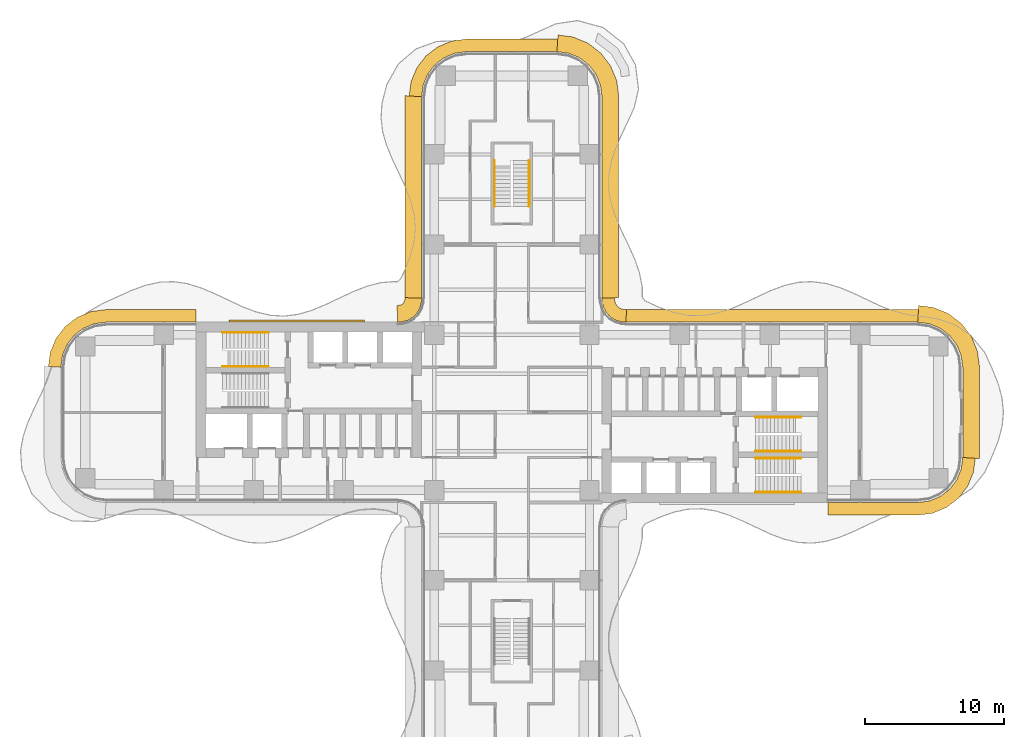
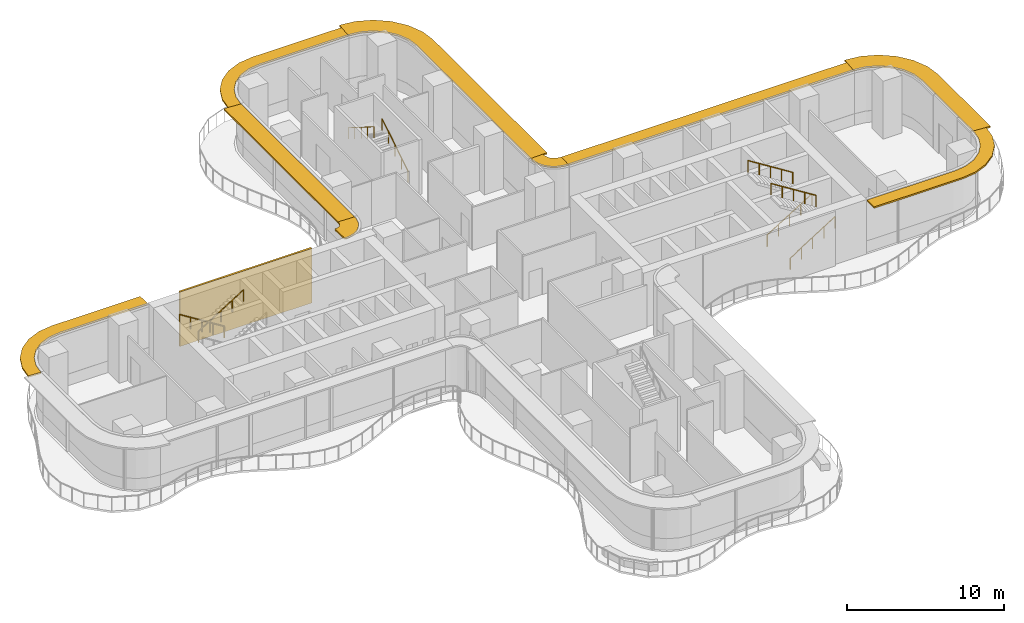
# One storey, part 22 of 22: 9 shading devices, 8 railings, 1 covering.
"""IFC4 building model written with IfcOpenShell, lengths in metres."""

from ifc_helpers import new_model, si_unit, direction, frame, origin, origin_2d, place, context, subcontext, project, spatial, polyline, circle, outline, extrude, source, transform, mapped, material, layer, layer_set, type_object, element, save


model = new_model("IFC4")

# Units and contexts
model_context = context("Model", 3, precision=1e-05, world=origin(), true_north=direction((0.0, 1.0)))
body_context = subcontext(model_context, "Body", "Model", "MODEL_VIEW")
ifc_project = project(units=[si_unit("LENGTHUNIT", "METRE"), si_unit("AREAUNIT", "SQUARE_METRE"), si_unit("VOLUMEUNIT", "CUBIC_METRE"), si_unit("PLANEANGLEUNIT", "RADIAN"), si_unit("MASSUNIT", "GRAM", prefix="KILO")], contexts=[model_context])

# Site, building, storey
site_placement = place(None, origin())
site = spatial("IfcSite", under=ifc_project, at=site_placement, CompositionType="ELEMENT")
building_placement = place(site_placement, origin())
building = spatial("IfcBuilding", under=site, at=building_placement, Name="Trellis Farm Tower", CompositionType="ELEMENT")
storey_placement = place(building_placement, frame((0.0, 0.0, 79.0)))
storey = spatial("IfcBuildingStorey", under=building, at=storey_placement, Name="L16", CompositionType="ELEMENT", Elevation=79.0)

# Railings
ifc_material_1 = material(Name="Stainless steel", Category="steel")
railing_type = type_object("IfcRailingType", Name="STAIR HANDRAIL 900", PredefinedType="HANDRAIL", material=ifc_material_1)
shared_shape_1 = source(origin(), body_context, "Body", "SweptSolid", [
    extrude(circle(Radius=0.02392578125, at=origin_2d()), frame((0.0, 0.0, 0.8759765625), z_axis=(0.0, 0.846319618018, 0.532675421018), x_axis=(-1.0, 0.0, 0.0)), (0.0, 0.0, 1.0), 3.89892578125),
    extrude(circle(Radius=0.02099609375, at=origin_2d()), origin(), (0.0, 0.0, 1.0), 0.851806640625),
    extrude(circle(Radius=0.02099609375, at=origin_2d()), frame((0.0, 0.824951171875, 0.519287109375)), (0.0, 0.0, 1.0), 0.851806640625),
    extrude(circle(Radius=0.02099609375, at=origin_2d()), frame((0.0, 1.64990234375, 1.03857421875)), (0.0, 0.0, 1.0), 0.851806640625),
    extrude(circle(Radius=0.02099609375, at=origin_2d()), frame((0.0, 2.474853515625, 1.5576171875)), (0.0, 0.0, 1.0), 0.851806640625),
    extrude(circle(Radius=0.02099609375, at=origin_2d()), frame((0.0, 3.2998046875, 2.076904296875)), (0.0, 0.0, 1.0), 0.851806640625),
])
railing_1_placement = place(storey_placement, frame((1.25, 14.85009765625, 0.173095703125)))
element("IfcRailing", 1, at=railing_1_placement, inside=storey, type_object=railing_type, Name="Stair handrail", PredefinedType="HANDRAIL", context=body_context, shape_type="MappedRepresentation", body=[
    mapped(shared_shape_1, transform((0.0, 0.0, 0.0))),
])
shared_shape_2 = source(origin(), body_context, "Body", "SweptSolid", [
    extrude(circle(Radius=0.02392578125, at=origin_2d()), frame((0.0, 0.0, 0.8759765625), z_axis=(0.0, -0.846319618018, 0.532675421018), x_axis=(1.0, 0.0, 0.0)), (0.0, 0.0, 1.0), 3.89892578125),
    extrude(circle(Radius=0.02099609375, at=origin_2d()), origin(), (0.0, 0.0, 1.0), 0.851806640625),
    extrude(circle(Radius=0.02099609375, at=origin_2d()), frame((0.0, -0.824951171875, 0.519287109375)), (0.0, 0.0, 1.0), 0.851806640625),
    extrude(circle(Radius=0.02099609375, at=origin_2d()), frame((0.0, -1.64990234375, 1.03857421875)), (0.0, 0.0, 1.0), 0.851806640625),
    extrude(circle(Radius=0.02099609375, at=origin_2d()), frame((0.0, -2.474853515625, 1.5576171875)), (0.0, 0.0, 1.0), 0.851806640625),
    extrude(circle(Radius=0.02099609375, at=origin_2d()), frame((0.0, -3.2998046875, 2.076904296875)), (0.0, 0.0, 1.0), 0.851806640625),
])
railing_2_placement = place(storey_placement, frame((-1.25, 18.14990234375, 2.423095703125)))
element("IfcRailing", 2, at=railing_2_placement, inside=storey, type_object=railing_type, Name="Stair handrail", PredefinedType="HANDRAIL", context=body_context, shape_type="MappedRepresentation", body=[
    mapped(shared_shape_2, transform((0.0, 0.0, 0.0))),
])
shared_shape_3 = source(origin(), body_context, "Body", "SweptSolid", [
    extrude(circle(Radius=0.02392578125, at=origin_2d()), frame((0.0, 0.0, 0.8759765625), z_axis=(0.846337383501, 0.0, 0.532647194011), x_axis=(0.0, 1.0, 0.0)), (0.0, 0.0, 1.0), 3.899169921875),
    extrude(circle(Radius=0.02099609375, at=origin_2d()), origin(), (0.0, 0.0, 1.0), 0.851806640625),
    extrude(circle(Radius=0.02099609375, at=origin_2d()), frame((0.824951171875, 0.0, 0.519287109375)), (0.0, 0.0, 1.0), 0.851806640625),
    extrude(circle(Radius=0.02099609375, at=origin_2d()), frame((1.64990234375, 0.0, 1.03857421875)), (0.0, 0.0, 1.0), 0.851806640625),
    extrude(circle(Radius=0.02099609375, at=origin_2d()), frame((2.47509765625, 0.0, 1.5576171875)), (0.0, 0.0, 1.0), 0.851806640625),
    extrude(circle(Radius=0.02099609375, at=origin_2d()), frame((3.300048828125, 0.0, 2.076904296875)), (0.0, 0.0, 1.0), 0.851806640625),
])
for number, where, name in (
    (3, (17.550048828125, -5.75, 0.173095703125), "Stair handrail"),
    (4, (17.550048828125, -2.800048828125, 0.173095703125), "Stair handrail"),
    (5, (-20.85009765625, 3.300048828125, 2.423095703125), "Stair handrail"),
):
    element("IfcRailing", number, at=place(storey_placement, frame(where)), inside=storey, type_object=railing_type, Name=name, PredefinedType="HANDRAIL", context=body_context, shape_type="MappedRepresentation", body=[
        mapped(shared_shape_3, transform((0.0, 0.0, 0.0))),
    ])
shared_shape_4 = source(origin(), body_context, "Body", "SweptSolid", [
    extrude(circle(Radius=0.02392578125, at=origin_2d()), frame((0.0, 0.0, 0.8759765625), z_axis=(-0.846337383501, 0.0, 0.532647194011), x_axis=(0.0, -1.0, 0.0)), (0.0, 0.0, 1.0), 3.899169921875),
    extrude(circle(Radius=0.02099609375, at=origin_2d()), origin(), (0.0, 0.0, 1.0), 0.851806640625),
    extrude(circle(Radius=0.02099609375, at=origin_2d()), frame((-0.824951171875, 0.0, 0.519287109375)), (0.0, 0.0, 1.0), 0.851806640625),
    extrude(circle(Radius=0.02099609375, at=origin_2d()), frame((-1.64990234375, 0.0, 1.03857421875)), (0.0, 0.0, 1.0), 0.851806640625),
    extrude(circle(Radius=0.02099609375, at=origin_2d()), frame((-2.47509765625, 0.0, 1.5576171875)), (0.0, 0.0, 1.0), 0.851806640625),
    extrude(circle(Radius=0.02099609375, at=origin_2d()), frame((-3.300048828125, 0.0, 2.076904296875)), (0.0, 0.0, 1.0), 0.851806640625),
])
for number, where, name in (
    (6, (20.85009765625, -3.300048828125, 2.423095703125), "Stair handrail"),
    (7, (20.85009765625, -0.35009765625, 2.423095703125), "Stair handrail"),
    (8, (-17.550048828125, 5.75, 0.173095703125), "Stair handrail"),
):
    element("IfcRailing", number, at=place(storey_placement, frame(where)), inside=storey, type_object=railing_type, Name=name, PredefinedType="HANDRAIL", context=body_context, shape_type="MappedRepresentation", body=[
        mapped(shared_shape_4, transform((0.0, 0.0, 0.0))),
    ])

# Shading devices
ifc_material_2 = material(Name="Aluminium extrusion 6063-T6", Category="aluminium")
ifc_layer_1 = layer(ifc_material_2, 0.1201171875)
ifc_layer_set_1 = layer_set([ifc_layer_1], Name="SUNSHADE BLADE 900")
shading_device_type_1 = type_object("IfcShadingDeviceType", Name="SUNSHADE BLADE 900", PredefinedType="USERDEFINED", material=ifc_layer_set_1)
shared_shape_5 = source(origin(), body_context, "Body", "SweptSolid", [
    extrude(outline(polyline([(22.780029296875, -7.39990234375), (29.30908203125, -7.39990234375), (30.326171875, -7.26611328125), (31.328857421875, -6.850830078125), (32.18994140625, -6.18994140625), (32.850830078125, -5.328857421875), (33.26611328125, -4.326171875), (33.39990234375, -3.30908203125), (32.5, -3.25), (32.38916015625, -4.091064453125), (32.064697265625, -4.875), (31.548095703125, -5.548095703125), (30.875, -6.064697265625), (30.091064453125, -6.38916015625), (29.25, -6.5), (22.780029296875, -6.5), (22.780029296875, -7.39990234375)])), origin(), (0.0, 0.0, 1.0), 0.119873046875),
])
placement = place(storey_placement, frame((0.0, 0.0, 4.090087890625)))
element("IfcShadingDevice", 9, at=placement, inside=storey, type_object=shading_device_type_1, Name="SD1 007", ObjectType="SUNSHADE", PredefinedType="USERDEFINED", context=body_context, shape_type="MappedRepresentation", body=[
    mapped(shared_shape_5, transform((0.0, 0.0, 0.0))),
])
ifc_layer_2 = layer(ifc_material_2, 0.1201171875)
ifc_layer_set_2 = layer_set([ifc_layer_2], Name="SUNSHADE BLADE 1200")
shading_device_type_2 = type_object("IfcShadingDeviceType", Name="SUNSHADE BLADE 1200", PredefinedType="USERDEFINED", material=ifc_layer_set_2)
shared_shape_6 = source(origin(), body_context, "Body", "SweptSolid", [
    extrude(outline(polyline([(33.699951171875, -3.32861328125), (33.699951171875, 3.32861328125), (33.558349609375, 4.404541015625), (33.11279296875, 5.480224609375), (32.404052734375, 6.404052734375), (31.480224609375, 7.11279296875), (30.404541015625, 7.558349609375), (29.32861328125, 7.699951171875), (29.25, 6.5), (30.091064453125, 6.38916015625), (30.875, 6.064697265625), (31.548095703125, 5.548095703125), (32.064697265625, 4.875), (32.38916015625, 4.091064453125), (32.5, 3.25), (32.5, -3.25), (33.699951171875, -3.32861328125)])), origin(), (0.0, 0.0, 1.0), 0.119873046875),
])
element("IfcShadingDevice", 10, at=placement, inside=storey, type_object=shading_device_type_2, Name="SD2 008", ObjectType="SUNSHADE", PredefinedType="USERDEFINED", context=body_context, shape_type="MappedRepresentation", body=[
    mapped(shared_shape_6, transform((0.0, 0.0, 0.0))),
])
shared_shape_7 = source(origin(), body_context, "Body", "SweptSolid", [
    extrude(outline(polyline([(29.30908203125, 7.39990234375), (8.2607421875, 7.39990234375), (8.2314453125, 6.5), (29.25, 6.5), (29.30908203125, 7.39990234375)])), origin(), (0.0, 0.0, 1.0), 0.119873046875),
])
element("IfcShadingDevice", 11, at=placement, inside=storey, type_object=shading_device_type_1, Name="SD1 009", ObjectType="SUNSHADE", PredefinedType="USERDEFINED", context=body_context, shape_type="MappedRepresentation", body=[
    mapped(shared_shape_7, transform((0.0, 0.0, 0.0))),
])
shared_shape_8 = source(origin(), body_context, "Body", "SweptSolid", [
    extrude(outline(polyline([(8.2607421875, 7.39990234375), (8.107666015625, 7.409912109375), (8.091552734375, 7.412109375), (7.85595703125, 7.475341796875), (7.697021484375, 7.567138671875), (7.567138671875, 7.697021484375), (7.475341796875, 7.85595703125), (7.412109375, 8.091552734375), (7.409912109375, 8.107666015625), (7.39990234375, 8.2607421875), (6.5, 8.2314453125), (6.513916015625, 8.01953125), (6.527587890625, 7.91552734375), (6.63671875, 7.508544921875), (6.846923828125, 7.144287109375), (7.144287109375, 6.846923828125), (7.508544921875, 6.63671875), (7.91552734375, 6.527587890625), (8.01953125, 6.513916015625), (8.2314453125, 6.5), (8.2607421875, 7.39990234375)])), origin(), (0.0, 0.0, 1.0), 0.119873046875),
])
element("IfcShadingDevice", 12, at=placement, inside=storey, type_object=shading_device_type_1, Name="SD1 010", ObjectType="SUNSHADE", PredefinedType="USERDEFINED", context=body_context, shape_type="MappedRepresentation", body=[
    mapped(shared_shape_8, transform((0.0, 0.0, 0.0))),
])
shared_shape_9 = source(origin(), body_context, "Body", "SweptSolid", [
    extrude(outline(polyline([(-7.699951171875, 8.270751953125), (-7.708740234375, 8.13720703125), (-7.70703125, 8.150146484375), (-7.7548828125, 7.9716796875), (-7.80712890625, 7.881103515625), (-7.881103515625, 7.80712890625), (-7.9716796875, 7.7548828125), (-8.150146484375, 7.70703125), (-8.13720703125, 7.708740234375), (-8.270751953125, 7.699951171875), (-8.2314453125, 6.5), (-8.01953125, 6.513916015625), (-7.91552734375, 6.527587890625), (-7.508544921875, 6.63671875), (-7.144287109375, 6.846923828125), (-6.846923828125, 7.144287109375), (-6.63671875, 7.508544921875), (-6.527587890625, 7.91552734375), (-6.513916015625, 8.01953125), (-6.5, 8.2314453125), (-7.699951171875, 8.270751953125)])), origin(), (0.0, 0.0, 1.0), 0.119873046875),
])
element("IfcShadingDevice", 13, at=placement, inside=storey, type_object=shading_device_type_2, Name="SD2 014", ObjectType="SUNSHADE", PredefinedType="USERDEFINED", context=body_context, shape_type="MappedRepresentation", body=[
    mapped(shared_shape_9, transform((0.0, 0.0, 0.0))),
])
shared_shape_10 = source(origin(), body_context, "Body", "SweptSolid", [
    extrude(outline(polyline([(-22.780029296875, 7.39990234375), (-29.30908203125, 7.39990234375), (-30.326171875, 7.26611328125), (-31.328857421875, 6.850830078125), (-32.18994140625, 6.18994140625), (-32.850830078125, 5.328857421875), (-33.26611328125, 4.326171875), (-33.39990234375, 3.30908203125), (-32.5, 3.25), (-32.38916015625, 4.091064453125), (-32.064697265625, 4.875), (-31.548095703125, 5.548095703125), (-30.875, 6.064697265625), (-30.091064453125, 6.38916015625), (-29.25, 6.5), (-22.780029296875, 6.5), (-22.780029296875, 7.39990234375)])), origin(), (0.0, 0.0, 1.0), 0.119873046875),
])
element("IfcShadingDevice", 14, at=placement, inside=storey, type_object=shading_device_type_1, Name="SD1 015", ObjectType="SUNSHADE", PredefinedType="USERDEFINED", context=body_context, shape_type="MappedRepresentation", body=[
    mapped(shared_shape_10, transform((0.0, 0.0, 0.0))),
])

# Covering
ifc_material_3 = material(Name="Perforated precast screen (cobogo)", Category="concrete")
ifc_layer_3 = layer(ifc_material_3, 0.14990234375)
ifc_layer_set_3 = layer_set([ifc_layer_3], Name="COBOGO SCREEN PANEL")
covering_type = type_object("IfcCoveringType", Name="COBOGO SCREEN PANEL", PredefinedType="USERDEFINED", material=ifc_layer_set_3)
shared_shape_11 = source(origin(), body_context, "Body", "SweptSolid", [
    extrude(outline(polyline([(-10.630615234375, 6.64990234375), (-20.380615234375, 6.64990234375), (-20.380615234375, 6.5), (-10.630615234375, 6.5), (-10.630615234375, 6.64990234375)])), origin(), (0.0, 0.0, 1.0), 4.25),
])
covering_placement = place(storey_placement, origin())
element("IfcCovering", 15, at=covering_placement, inside=storey, type_object=covering_type, Name="SC1 02", ObjectType="SCREEN", PredefinedType="USERDEFINED", context=body_context, shape_type="MappedRepresentation", body=[
    mapped(shared_shape_11, transform((0.0, 0.0, 0.0))),
])

# Shading devices
shared_shape_12 = source(origin(), body_context, "Body", "SweptSolid", [
    extrude(outline(polyline([(7.699951171875, 8.270751953125), (7.699951171875, 22.82861328125), (7.558349609375, 23.904541015625), (7.11279296875, 24.980224609375), (6.404052734375, 25.904052734375), (5.480224609375, 26.61279296875), (4.404541015625, 27.058349609375), (3.32861328125, 27.199951171875), (3.25, 26.0), (4.091064453125, 25.88916015625), (4.875, 25.564697265625), (5.548095703125, 25.048095703125), (6.064697265625, 24.375), (6.38916015625, 23.591064453125), (6.5, 22.75), (6.5, 8.2314453125), (7.699951171875, 8.270751953125)])), origin(), (0.0, 0.0, 1.0), 0.119873046875),
])
element("IfcShadingDevice", 16, at=placement, inside=storey, type_object=shading_device_type_2, Name="SD2 011", ObjectType="SUNSHADE", PredefinedType="USERDEFINED", context=body_context, shape_type="MappedRepresentation", body=[
    mapped(shared_shape_12, transform((0.0, 0.0, 0.0))),
])
shared_shape_13 = source(origin(), body_context, "Body", "SweptSolid", [
    extrude(outline(polyline([(3.30908203125, 26.89990234375), (-3.30908203125, 26.89990234375), (-4.326171875, 26.76611328125), (-5.328857421875, 26.350830078125), (-6.18994140625, 25.68994140625), (-6.850830078125, 24.828857421875), (-7.26611328125, 23.826171875), (-7.39990234375, 22.80908203125), (-6.5, 22.75), (-6.38916015625, 23.591064453125), (-6.064697265625, 24.375), (-5.548095703125, 25.048095703125), (-4.875, 25.564697265625), (-4.091064453125, 25.88916015625), (-3.25, 26.0), (3.25, 26.0), (3.30908203125, 26.89990234375)])), origin(), (0.0, 0.0, 1.0), 0.119873046875),
])
element("IfcShadingDevice", 17, at=placement, inside=storey, type_object=shading_device_type_1, Name="SD1 012", ObjectType="SUNSHADE", PredefinedType="USERDEFINED", context=body_context, shape_type="MappedRepresentation", body=[
    mapped(shared_shape_13, transform((0.0, 0.0, 0.0))),
])
shared_shape_14 = source(origin(), body_context, "Body", "SweptSolid", [
    extrude(outline(polyline([(-7.699951171875, 22.82861328125), (-7.699951171875, 8.270751953125), (-6.5, 8.2314453125), (-6.5, 22.75), (-7.699951171875, 22.82861328125)])), origin(), (0.0, 0.0, 1.0), 0.119873046875),
])
element("IfcShadingDevice", 18, at=placement, inside=storey, type_object=shading_device_type_2, Name="SD2 013", ObjectType="SUNSHADE", PredefinedType="USERDEFINED", context=body_context, shape_type="MappedRepresentation", body=[
    mapped(shared_shape_14, transform((0.0, 0.0, 0.0))),
])

save(model, "model.ifc")
